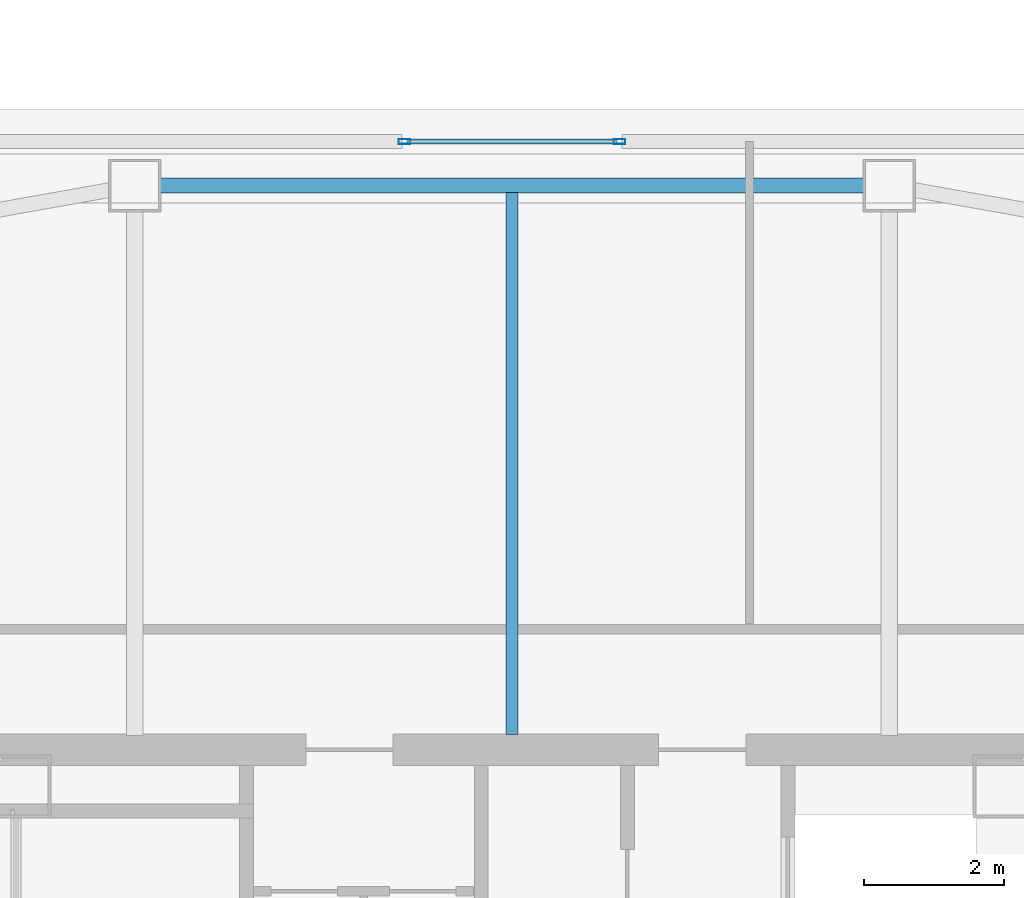
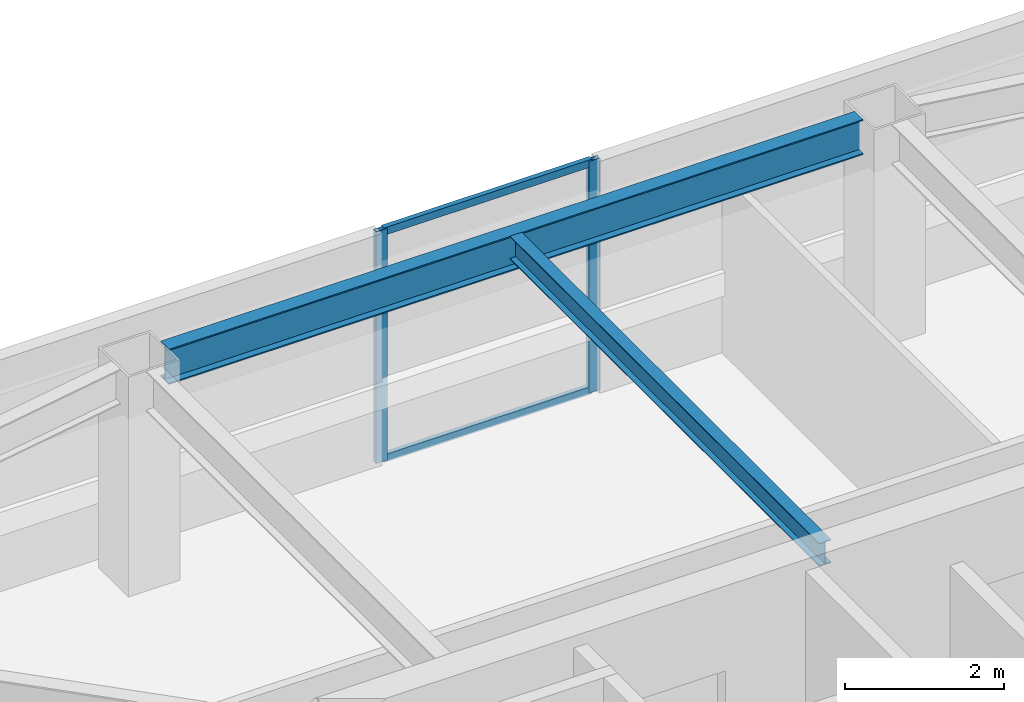
# One storey, part 16 of 44: 4 members, 2 beams, 1 element without a shape of its own.
"""IFC4 building model written with IfcOpenShell, lengths in metres."""

import ifcopenshell
import ifcopenshell.guid

model = None  # the IFC model being written
_history = None  # IfcOwnerHistory: only IFC2X3 demands one
_inside = {}  # id of a spatial element -> (the spatial element, [elements in it])
_under = {}  # id of a project, library or spatial element -> (it, [spatial elements below it])
_declared = {}  # id of a project -> (the project, [libraries it declares])
_typed = {}  # id of a type object -> (the type object, [elements of that type])
_made_of = {}  # id of a material, layer set ... -> (it, [elements and type objects made of it])


def new_model(schema):
    """Start an empty IFC model of exactly this schema.

    Asked for "IFC4X3", IfcOpenShell would pick the latest addendum, in which some entities
    have other attributes; the version numbers below select the first issue.
    IFC2X3 requires an IfcOwnerHistory on every rooted entity: one is made here for all.
    """
    global model, _history
    if schema == "IFC4X3":
        model = ifcopenshell.file(schema_version=(4, 3, 0, 0))
    else:
        model = ifcopenshell.file(schema=schema)
    _inside.clear()
    _under.clear()
    _declared.clear()
    _typed.clear()
    _made_of.clear()
    _history = None
    if model.schema == "IFC2X3":
        org = make("IfcOrganization", Name="unknown")
        user = make(
            "IfcPersonAndOrganization",
            ThePerson=make("IfcPerson", FamilyName="unknown"),
            TheOrganization=org,
        )
        app = make(
            "IfcApplication",
            ApplicationDeveloper=org,
            Version="unknown",
            ApplicationFullName="unknown",
            ApplicationIdentifier="unknown",
        )
        _history = make(
            "IfcOwnerHistory",
            OwningUser=user,
            OwningApplication=app,
            ChangeAction="ADDED",
            CreationDate=0,
        )
    return model


def make(cls, **values):
    """One entity of the class cls with the attributes given. An attribute that is None is left unset."""
    return model.create_entity(
        cls, **{name: value for name, value in values.items() if value is not None}
    )


def rooted(cls, **values):
    """An entity with a GlobalId (a new one), such as an element, a storey or a relation."""
    return make(cls, GlobalId=ifcopenshell.guid.new(), OwnerHistory=_history, **values)


def si_unit(unit_type, name, prefix=None):
    """IfcSIUnit, for example si_unit("LENGTHUNIT", "METRE", prefix="MILLI")."""
    return make("IfcSIUnit", UnitType=unit_type, Prefix=prefix, Name=name)


def assignment(units):
    """IfcUnitAssignment: the units of a project."""
    return None if units is None else make("IfcUnitAssignment", Units=units)


def point(xyz):
    """IfcCartesianPoint."""
    return None if xyz is None else make("IfcCartesianPoint", Coordinates=xyz)


def direction(xyz):
    """IfcDirection."""
    return None if xyz is None else make("IfcDirection", DirectionRatios=xyz)


def frame(location, z_axis=None, x_axis=None):
    """IfcAxis2Placement3D, a coordinate frame: its origin and axes. An axis left out is left unset."""
    return make(
        "IfcAxis2Placement3D",
        Location=point(location),
        Axis=direction(z_axis),
        RefDirection=direction(x_axis),
    )


def frame_2d(location, x_axis=None):
    """IfcAxis2Placement2D, a coordinate frame in the plane: its origin and x axis."""
    return make(
        "IfcAxis2Placement2D", Location=point(location), RefDirection=direction(x_axis)
    )


def origin():
    """The frame at (0, 0, 0) with its axes left unset."""
    return frame((0.0, 0.0, 0.0))


def origin_2d():
    """The frame at (0, 0) in the plane with its x axis left unset."""
    return frame_2d((0.0, 0.0))


def place(relative_to, where):
    """IfcLocalPlacement: puts the frame where relative to a parent placement (None: the world)."""
    return make(
        "IfcLocalPlacement", PlacementRelTo=relative_to, RelativePlacement=where
    )


def context(
    kind, dimensions, precision=None, world=None, true_north=None, identifier=None
):
    """IfcGeometricRepresentationContext, for example the 3D "Model" context."""
    return make(
        "IfcGeometricRepresentationContext",
        ContextIdentifier=identifier,
        ContextType=kind,
        CoordinateSpaceDimension=dimensions,
        Precision=precision,
        WorldCoordinateSystem=world,
        TrueNorth=true_north,
    )


def subcontext(parent, identifier, kind, view, scale=None):
    """IfcGeometricRepresentationSubContext, for example "Body" below "Model"."""
    return make(
        "IfcGeometricRepresentationSubContext",
        ContextIdentifier=identifier,
        ContextType=kind,
        ParentContext=parent,
        TargetScale=scale,
        TargetView=view,
    )


def project(units=None, contexts=None):
    """IfcProject with its units and contexts."""
    return rooted(
        "IfcProject",
        Name="project",
        RepresentationContexts=contexts,
        UnitsInContext=assignment(units),
    )


def spatial(cls, under=None, at=None, **own):
    """A site, building, storey or space (cls), placed at a placement, below another one or the project."""
    s = rooted(cls, ObjectPlacement=at, **own)
    if under is not None:
        _under.setdefault(under.id(), (under, []))[1].append(s)
    return s


def profile(cls, at=None, kind="AREA", **sizes):
    """A parametric profile (cls). Its sizes go by their IFC names, for example OverallWidth=200.0."""
    return make(cls, ProfileType=kind, Position=at, **sizes)


def hollow_rectangle(**sizes):
    """IfcRectangleHollowProfileDef."""
    return profile("IfcRectangleHollowProfileDef", **sizes)


def i_section(**sizes):
    """IfcIShapeProfileDef."""
    return profile("IfcIShapeProfileDef", **sizes)


def extrude(swept, where, along, depth):
    """IfcExtrudedAreaSolid: the profile swept, set in the frame where, extruded along a direction by depth."""
    return make(
        "IfcExtrudedAreaSolid",
        SweptArea=swept,
        Position=where,
        ExtrudedDirection=direction(along),
        Depth=depth,
    )


def shape(context_of_items, identifier, shape_type, items):
    """IfcShapeRepresentation: the items that make up one representation, for example the "Body"."""
    return make(
        "IfcShapeRepresentation",
        ContextOfItems=context_of_items,
        RepresentationIdentifier=identifier,
        RepresentationType=shape_type,
        Items=items,
    )


def material(Name=None, Category=None):
    """IfcMaterial."""
    return make("IfcMaterial", Name=Name, Category=Category)


def material_profile(
    of_material, cross_section, Name=None, Category=None, Priority=None
):
    """IfcMaterialProfile: a cross section and its material."""
    return make(
        "IfcMaterialProfile",
        Name=Name,
        Material=of_material,
        Profile=cross_section,
        Priority=Priority,
        Category=Category,
    )


def profile_set(profiles, Name=None, composite=None):
    """IfcMaterialProfileSet."""
    return make(
        "IfcMaterialProfileSet",
        Name=Name,
        MaterialProfiles=profiles,
        CompositeProfile=composite,
    )


def made_of(thing, what):
    """Note that an element or type object is made of a material, layer set ...; save() writes the relation."""
    if what is not None:
        _made_of.setdefault(what.id(), (what, []))[1].append(thing)
    return thing


def type_object(cls, material=None, **own):
    """A type object (cls), such as IfcWallType, which elements share."""
    return made_of(rooted(cls, **own), material)


def element(
    cls,
    number,
    at=None,
    inside=None,
    cuts=None,
    type_object=None,
    material=None,
    context=None,
    identifier="Body",
    shape_type=None,
    held_by="IfcProductDefinitionShape",
    body=None,
    shapes=None,
    **own,
):
    """One element of the class cls, such as IfcWall. Its Tag is "e" and its number.

    at: its placement. inside: the storey or other place that contains it. cuts: it is an
    opening in that element (IfcRelVoidsElement). A single representation is given by context,
    identifier, shape_type and body (its items); several are given by shapes. held_by: the class
    of the entity that holds the representations. save() writes the other relations.
    """
    e = rooted(cls, Tag="e%d" % number, ObjectPlacement=at, **own)
    if body is not None:
        shapes = [shape(context, identifier, shape_type, body)]
    if shapes is not None:
        e.Representation = make(held_by, Representations=shapes)
    if inside is not None:
        _inside.setdefault(inside.id(), (inside, []))[1].append(e)
    if cuts is not None:
        rooted(
            "IfcRelVoidsElement", RelatingBuildingElement=cuts, RelatedOpeningElement=e
        )
    if type_object is not None:
        _typed.setdefault(type_object.id(), (type_object, []))[1].append(e)
    return made_of(e, material)


def aggregate(whole, parts):
    """IfcRelAggregates: a whole, such as a stair, and the parts it consists of."""
    return rooted("IfcRelAggregates", RelatingObject=whole, RelatedObjects=parts)


def save(model, path):
    """Write the relations noted so far, then the file.

    IfcRelAggregates (storeys below a building ...), IfcRelContainedInSpatialStructure (elements
    in a storey), IfcRelDefinesByType, IfcRelAssociatesMaterial and IfcRelDeclares: one each for
    every whole, place, type object, material and project.
    """
    for whole, parts in _under.values():
        aggregate(whole, parts)
    for where, things in _inside.values():
        rooted(
            "IfcRelContainedInSpatialStructure",
            RelatedElements=things,
            RelatingStructure=where,
        )
    for kind, things in _typed.values():
        rooted("IfcRelDefinesByType", RelatedObjects=things, RelatingType=kind)
    for what, things in _made_of.values():
        rooted("IfcRelAssociatesMaterial", RelatedObjects=things, RelatingMaterial=what)
    for by, libraries in _declared.values():
        rooted("IfcRelDeclares", RelatingContext=by, RelatedDefinitions=libraries)
    model.write(path)


model = new_model("IFC4")

# Units and contexts
model_context = context("Model", 3, precision=1e-05, world=origin(), true_north=direction((0.0, 1.0)))
body_context = subcontext(model_context, "Body", "Model", "MODEL_VIEW")
ifc_project = project(units=[si_unit("LENGTHUNIT", "METRE"), si_unit("AREAUNIT", "SQUARE_METRE"), si_unit("VOLUMEUNIT", "CUBIC_METRE"), si_unit("PLANEANGLEUNIT", "RADIAN"), si_unit("MASSUNIT", "GRAM", prefix="KILO")], contexts=[model_context])

# Site, building, storey
site_placement = place(None, origin())
site = spatial("IfcSite", under=ifc_project, at=site_placement, CompositionType="ELEMENT")
building_placement = place(site_placement, origin())
building = spatial("IfcBuilding", under=site, at=building_placement, Name="Tashvorn Skyway Center", CompositionType="ELEMENT")
storey_placement = place(building_placement, frame((0.0, 0.0, 211.300048828125)))
storey = spatial("IfcBuildingStorey", under=building, at=storey_placement, Name="L57", CompositionType="ELEMENT", Elevation=211.300048828125)

# Beams
ifc_material_1 = material(Name="Steel ASTM A992 Grade 50", Category="steel")
ifc_material_profile_1 = material_profile(ifc_material_1, i_section(OverallWidth=0.1708984375, OverallDepth=0.35498046875, WebThickness=0.007080078125, FlangeThickness=0.01171875, at=origin_2d()), Name="W14X34")
ifc_profile_set_1 = profile_set([ifc_material_profile_1], Name="Steel ASTM A992 Grade 50")
beam_type_1 = type_object("IfcBeamType", Name="BM-JOIST-W14X34", PredefinedType="JOIST", material=ifc_profile_set_1)
beam_1_placement = place(storey_placement, frame((42.0, 39.7900390625, 3.1923828125), z_axis=(0.0, 1.0, 0.0), x_axis=(-1.0, 0.0, 0.0)))
element("IfcBeam", 1, at=beam_1_placement, inside=storey, type_object=beam_type_1, Name="Tower 1 L57 Secondary Composite Joist JN", PredefinedType="JOIST", context=body_context, shape_type="SweptSolid", body=[
    extrude(i_section(OverallWidth=0.1708984375, OverallDepth=0.35498046875, WebThickness=0.007080078125, FlangeThickness=0.01171875, at=origin_2d()), origin(), (0.0, 0.0, 1.0), 7.762451171875),
])
ifc_material_profile_2 = material_profile(ifc_material_1, i_section(OverallWidth=0.2109375, OverallDepth=0.5390625, WebThickness=0.01171875, FlangeThickness=0.018798828125, at=origin_2d()), Name="W21X73")
ifc_profile_set_2 = profile_set([ifc_material_profile_2], Name="Steel ASTM A992 Grade 50")
beam_type_2 = type_object("IfcBeamType", Name="BM-SPANDREL-W21X73", PredefinedType="SPANDREL", material=ifc_profile_set_2)
beam_2_placement = place(storey_placement, frame((47.030029296875, 47.64990234375, 3.100341796875), z_axis=(-1.0, 0.0, 0.0), x_axis=(0.0, -1.0, 0.0)))
element("IfcBeam", 2, at=beam_2_placement, inside=storey, type_object=beam_type_2, Name="Tower 1 L57 Spandrel Beam 08", PredefinedType="SPANDREL", context=body_context, shape_type="SweptSolid", body=[
    extrude(i_section(OverallWidth=0.2109375, OverallDepth=0.5390625, WebThickness=0.01171875, FlangeThickness=0.018798828125, at=origin_2d()), origin(), (0.0, 0.0, 1.0), 10.06005859375),
])

# Curtain wall, members
ifc_material_2 = material(Name="Thermally broken bronze-anodized aluminium 6063-T6", Category="aluminium")
curtain_wall_type = type_object("IfcCurtainWallType", Name="CW-CW-Z5", PredefinedType="NOTDEFINED", material=ifc_material_2)
curtain_wall_placement = place(storey_placement, origin())
curtain_wall = element("IfcCurtainWall", 3, at=curtain_wall_placement, inside=storey, type_object=curtain_wall_type, Name="Tower 1 L57 North Unitised Curtain Wall Glazing Group 2", PredefinedType="NOTDEFINED")
ifc_material_profile_3 = material_profile(ifc_material_2, hollow_rectangle(XDim=0.070068359375, YDim=0.1650390625, WallThickness=0.00390625, at=origin_2d()), Name="ALU-MULL-70x165")
ifc_profile_set_3 = profile_set([ifc_material_profile_3], Name="Thermally broken bronze-anodized aluminium 6063-T6")
member_type_1 = type_object("IfcMemberType", Name="CWM-CW-Z5", PredefinedType="MULLION", material=ifc_profile_set_3)
member_1_placement = place(storey_placement, frame((40.45947265625, 48.280029296875, 0.0), z_axis=(0.0, 0.0, 1.0), x_axis=(0.0, 1.0, 0.0)))
member_1 = element("IfcMember", 4, at=member_1_placement, type_object=member_type_1, Name="CW-Z5 mullion 1", PredefinedType="MULLION", context=body_context, shape_type="SweptSolid", body=[
    extrude(hollow_rectangle(XDim=0.070068359375, YDim=0.1650390625, WallThickness=0.00390625, at=origin_2d()), origin(), (0.0, 0.0, 1.0), 3.550048828125),
])
member_2_placement = place(storey_placement, frame((43.54052734375, 48.280029296875, 0.0), z_axis=(0.0, 0.0, 1.0), x_axis=(0.0, 1.0, 0.0)))
member_2 = element("IfcMember", 5, at=member_2_placement, type_object=member_type_1, Name="CW-Z5 mullion 2", PredefinedType="MULLION", context=body_context, shape_type="SweptSolid", body=[
    extrude(hollow_rectangle(XDim=0.070068359375, YDim=0.1650390625, WallThickness=0.00390625, at=origin_2d()), origin(), (0.0, 0.0, 1.0), 3.550048828125),
])
ifc_material_profile_4 = material_profile(ifc_material_2, hollow_rectangle(XDim=0.070068359375, YDim=0.114990234375, WallThickness=0.00390625, at=origin_2d()), Name="ALU-TRAN-70x115")
ifc_profile_set_4 = profile_set([ifc_material_profile_4], Name="Thermally broken bronze-anodized aluminium 6063-T6")
member_type_2 = type_object("IfcMemberType", Name="CWT-CW-Z5", PredefinedType="USERDEFINED", material=ifc_profile_set_4)
member_3_placement = place(storey_placement, frame((40.494384765625, 48.280029296875, 0.034912109375), z_axis=(1.0, 0.0, 0.0), x_axis=(0.0, 1.0, 0.0)))
member_3 = element("IfcMember", 6, at=member_3_placement, type_object=member_type_2, Name="CW-Z5 transom 1.1", ObjectType="TRANSOM", PredefinedType="USERDEFINED", context=body_context, shape_type="SweptSolid", body=[
    extrude(hollow_rectangle(XDim=0.070068359375, YDim=0.114990234375, WallThickness=0.00390625, at=origin_2d()), origin(), (0.0, 0.0, 1.0), 3.01123046875),
])
member_4_placement = place(storey_placement, frame((40.494384765625, 48.280029296875, 3.514892578125), z_axis=(1.0, 0.0, 0.0), x_axis=(0.0, 1.0, 0.0)))
member_4 = element("IfcMember", 7, at=member_4_placement, type_object=member_type_2, Name="CW-Z5 transom 1.2", ObjectType="TRANSOM", PredefinedType="USERDEFINED", context=body_context, shape_type="SweptSolid", body=[
    extrude(hollow_rectangle(XDim=0.070068359375, YDim=0.114990234375, WallThickness=0.00390625, at=origin_2d()), origin(), (0.0, 0.0, 1.0), 3.01123046875),
])
aggregate(curtain_wall, [member_1, member_2, member_3, member_4])

save(model, "model.ifc")
